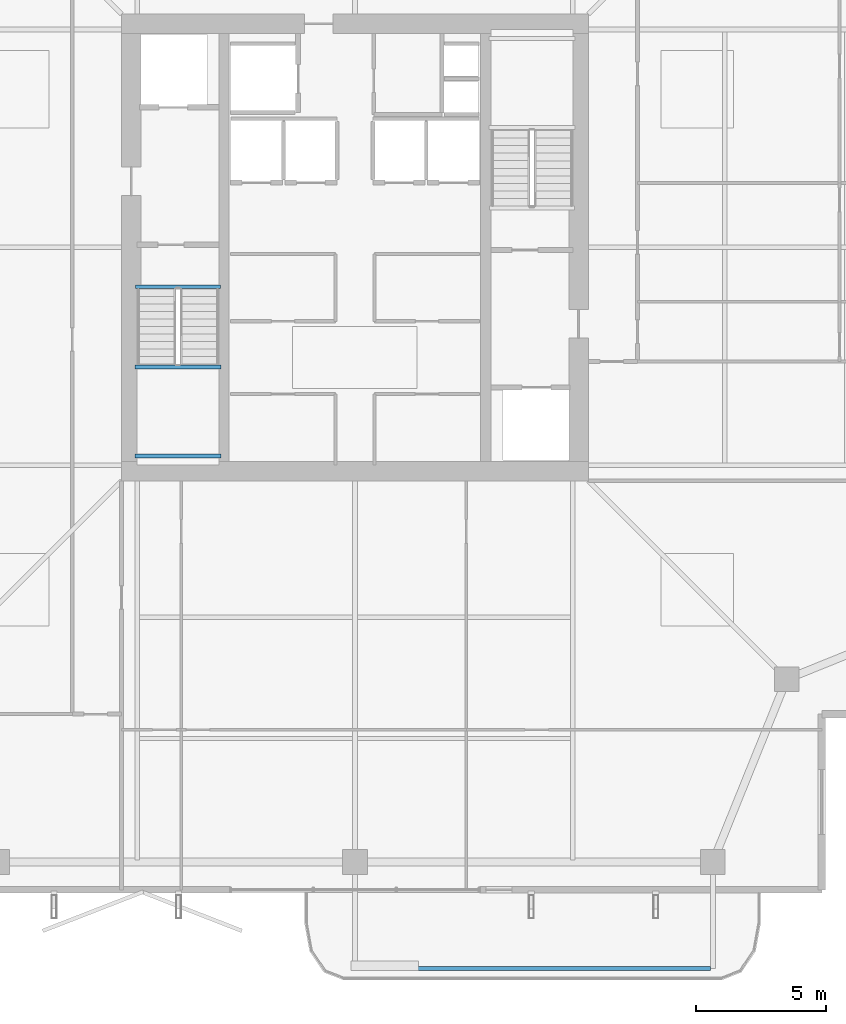
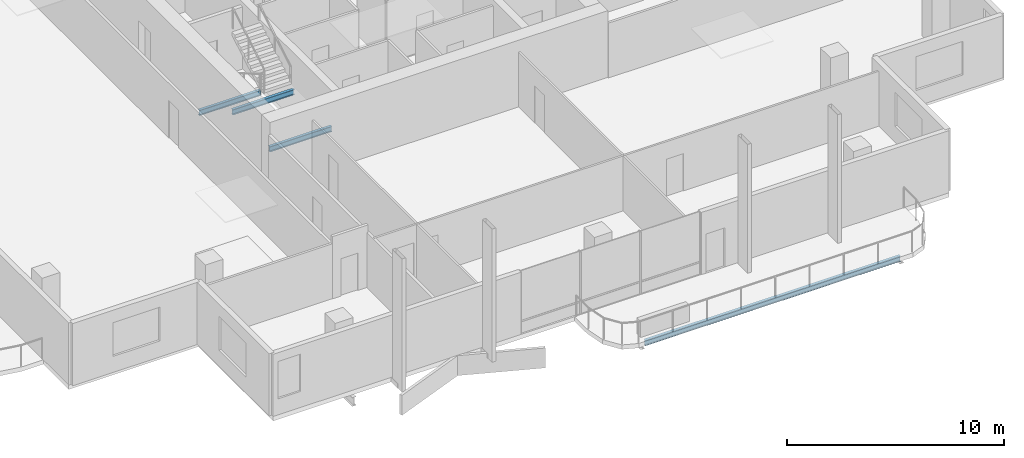
# One storey, part 7 of 25: 4 beams.
"""IFC4 building model written with IfcOpenShell, lengths in metres."""

from ifc_helpers import new_model, si_unit, direction, frame, origin, origin_2d, place, context, subcontext, project, spatial, i_section, extrude, material, material_profile, profile_set, type_object, element, save


model = new_model("IFC4")

# Units and contexts
model_context = context("Model", 3, precision=1e-05, world=origin(), true_north=direction((0.0, 1.0)))
body_context = subcontext(model_context, "Body", "Model", "MODEL_VIEW")
ifc_project = project(units=[si_unit("LENGTHUNIT", "METRE"), si_unit("AREAUNIT", "SQUARE_METRE"), si_unit("VOLUMEUNIT", "CUBIC_METRE"), si_unit("PLANEANGLEUNIT", "RADIAN"), si_unit("MASSUNIT", "GRAM", prefix="KILO")], contexts=[model_context])

# Site, building, storey
site_placement = place(None, origin())
site = spatial("IfcSite", under=ifc_project, at=site_placement, CompositionType="ELEMENT")
building_placement = place(site_placement, origin())
building = spatial("IfcBuilding", under=site, at=building_placement, Name="Belovzor Exchange Tower", CompositionType="ELEMENT")
storey_placement = place(building_placement, frame((0.0, 0.0, 250.35009765625)))
storey = spatial("IfcBuildingStorey", under=building, at=storey_placement, Name="L62", CompositionType="ELEMENT", Elevation=250.35009765625)

# Beams
ifc_material_1 = material(Name="Steel S355", Category="steel")
ifc_material_profile_1 = material_profile(ifc_material_1, i_section(OverallWidth=0.14990234375, OverallDepth=0.300048828125, WebThickness=0.007080078125, FlangeThickness=0.0107421875, at=origin_2d()))
ifc_profile_set_1 = profile_set([ifc_material_profile_1], Name="Steel S355")
beam_type_1 = type_object("IfcBeamType", Name="Planted Balcony Fascia Edge Beam IPE 300", PredefinedType="BEAM", material=ifc_profile_set_1)
beam_1_placement = place(storey_placement, frame((28.89990234375, 0.989013671875, -0.400146484375), z_axis=(1.0, 0.0, 0.0), x_axis=(0.0, 1.0, 0.0)))
element("IfcBeam", 1, at=beam_1_placement, inside=storey, type_object=beam_type_1, Name="BC-300 Planted Balcony Fascia Edge Beam IPE 300", PredefinedType="BEAM", context=body_context, shape_type="SweptSolid", body=[
    extrude(i_section(OverallWidth=0.14990234375, OverallDepth=0.300048828125, WebThickness=0.007080078125, FlangeThickness=0.0107421875, at=origin_2d()), origin(), (0.0, 0.0, 1.0), 13.60009765625),
])
ifc_material_2 = material(Name="Steel S355", Category="steel")
ifc_material_profile_2 = material_profile(ifc_material_2, i_section(OverallWidth=0.14990234375, OverallDepth=0.300048828125, WebThickness=0.007080078125, FlangeThickness=0.0107421875, at=origin_2d()))
ifc_profile_set_2 = profile_set([ifc_material_profile_2], Name="Steel S355")
beam_type_2 = type_object("IfcBeamType", Name="Secondary Trim Floor Joist IPE 300", PredefinedType="BEAM", material=ifc_profile_set_2)
for number, where, z_axis, x_axis, name in (
    (2, (20.320068359375, 24.179931640625, 1.52490234375), (1.0, 0.0, 0.0), (0.0, 1.0, 0.0), "FJ-300 Secondary Trim Floor Joist IPE 300"),
    (3, (20.320068359375, 20.75, 1.52490234375), (1.0, 0.0, 0.0), (0.0, 1.0, 0.0), "FJ-300 Secondary Trim Floor Joist IPE 300"),
):
    element("IfcBeam", number, at=place(storey_placement, frame(where, z_axis=z_axis, x_axis=x_axis)), inside=storey, type_object=beam_type_2, Name=name, PredefinedType="BEAM", context=body_context, shape_type="SweptSolid", body=[
        extrude(i_section(OverallWidth=0.14990234375, OverallDepth=0.300048828125, WebThickness=0.007080078125, FlangeThickness=0.0107421875, at=origin_2d()), origin(), (0.0, 0.0, 1.0), 3.309814453125),
    ])
beam_2_placement = place(storey_placement, frame((20.340087890625, 27.280029296875, -0.400146484375), z_axis=(1.0, 0.0, 0.0), x_axis=(0.0, 1.0, 0.0)))
element("IfcBeam", 4, at=beam_2_placement, inside=storey, type_object=beam_type_2, Name="FJ-300 Secondary Trim Floor Joist IPE 300", PredefinedType="BEAM", context=body_context, shape_type="SweptSolid", body=[
    extrude(i_section(OverallWidth=0.14990234375, OverallDepth=0.300048828125, WebThickness=0.007080078125, FlangeThickness=0.0107421875, at=origin_2d()), origin(), (0.0, 0.0, 1.0), 3.27001953125),
])

save(model, "model.ifc")
